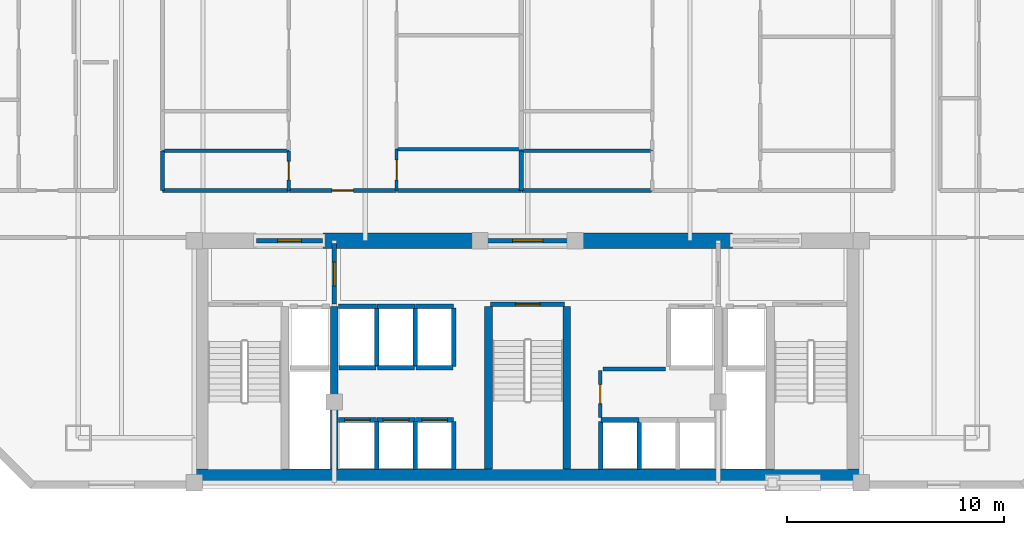
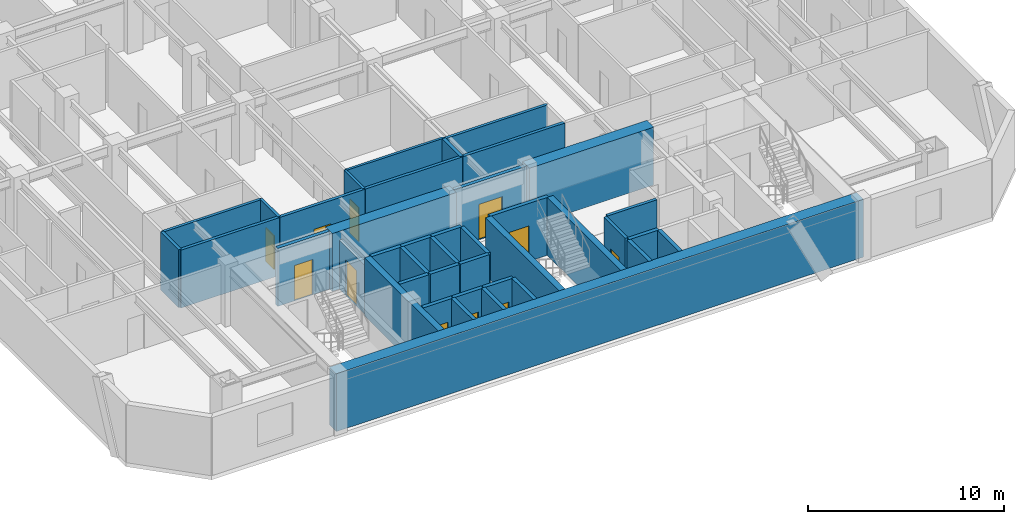
# One storey, part 3 of 10: 41 walls, 11 doors, 11 openings.
"""IFC4 building model written with IfcOpenShell, lengths in metres."""

from ifc_helpers import new_model, si_unit, direction, frame, frame_2d, origin, place, context, subcontext, project, spatial, rectangle, extrude, material, layer, layer_set, type_object, element, fill, save


model = new_model("IFC4")

# Units and contexts
model_context = context("Model", 3, precision=1e-05, world=origin(), true_north=direction((0.0, 1.0)))
body_context = subcontext(model_context, "Body", "Model", "MODEL_VIEW")
ifc_project = project(units=[si_unit("LENGTHUNIT", "METRE"), si_unit("AREAUNIT", "SQUARE_METRE"), si_unit("VOLUMEUNIT", "CUBIC_METRE"), si_unit("PLANEANGLEUNIT", "RADIAN"), si_unit("MASSUNIT", "GRAM", prefix="KILO")], contexts=[model_context])

# Site, building, storey
site_placement = place(None, origin())
site = spatial("IfcSite", under=ifc_project, at=site_placement, CompositionType="ELEMENT")
building_placement = place(site_placement, origin())
building = spatial("IfcBuilding", under=site, at=building_placement, Name="Ventersveld Concourse Tower", CompositionType="ELEMENT")
storey_placement = place(building_placement, frame((0.0, 0.0, 96.449951171875)))
storey = spatial("IfcBuildingStorey", under=building, at=storey_placement, Name="L23", CompositionType="ELEMENT", Elevation=96.449951171875)

# Walls
ifc_material_1 = material(Name="Concrete C60/75", Category="concrete")
ifc_layer_1 = layer(ifc_material_1, 0.35009765625)
ifc_layer_set_1 = layer_set([ifc_layer_1], Name="Concrete C60/75")
wall_type_1 = type_object("IfcWallType", Name="WL-CORE-350L", PredefinedType="SHEAR", material=ifc_layer_set_1)
for number, where, z_axis, x_axis, name in (
    (1, (19.820068359375, 0.919921875, 0.0), (0.0, 0.0, 1.0), (0.0, 1.0, 0.0), "L23 Core Internal Shear Web W-FF1-E"),
    (2, (26.93994140625, 0.919921875, 0.0), (0.0, 0.0, 1.0), (0.0, 1.0, 0.0), "L23 Core Internal Shear Web W-ST3-W"),
    (3, (30.56005859375, 0.919921875, 0.0), (0.0, 0.0, 1.0), (0.0, 1.0, 0.0), "L23 Core Internal Shear Web W-ST3-E"),
):
    element("IfcWall", number, at=place(storey_placement, frame(where, z_axis=z_axis, x_axis=x_axis)), inside=storey, type_object=wall_type_1, Name=name, PredefinedType="SHEAR", context=body_context, shape_type="SweptSolid", body=[
        extrude(rectangle(XDim=7.5, YDim=0.35009765625, at=frame_2d((3.75, 0.0))), origin(), (0.0, 0.0, 1.0), 3.60009765625),
    ])
ifc_layer_2 = layer(ifc_material_1, 0.699951171875)
ifc_layer_set_2 = layer_set([ifc_layer_2], Name="Concrete C60/75")
wall_type_2 = type_object("IfcWallType", Name="WL-CORE-700", PredefinedType="SHEAR", material=ifc_layer_set_2)
wall_1_placement = place(storey_placement, frame((13.25, 0.570068359375, 0.0), z_axis=(0.0, 0.0, 1.0), x_axis=(1.0, 0.0, 0.0)))
element("IfcWall", 4, at=wall_1_placement, inside=storey, type_object=wall_type_2, Name="L23 Rear Core South Shear Wall", PredefinedType="SHEAR", context=body_context, shape_type="SweptSolid", body=[
    extrude(rectangle(XDim=31.0, YDim=0.699951171875, at=frame_2d((15.5, 0.0))), origin(), (0.0, 0.0, 1.0), 3.60009765625),
])
for number, where, z_axis, x_axis, name in (
    (5, (19.300048828125, 11.449951171875, 0.0), (0.0, 0.0, 1.0), (1.0, 0.0, 0.0), "L23 Rear Core North Shear Wall NML"),
    (6, (30.89990234375, 11.449951171875, 0.0), (0.0, 0.0, 1.0), (1.0, 0.0, 0.0), "L23 Rear Core North Shear Wall NMR"),
):
    element("IfcWall", number, at=place(storey_placement, frame(where, z_axis=z_axis, x_axis=x_axis)), inside=storey, type_object=wall_type_2, Name=name, PredefinedType="SHEAR", context=body_context, shape_type="SweptSolid", body=[
        extrude(rectangle(XDim=7.300048828125, YDim=0.699951171875, at=frame_2d((3.64990234375, 0.0))), origin(), (0.0, 0.0, 1.0), 3.60009765625),
    ])

# Wall, opening, door
ifc_material_2 = material(Name="Fire-rated autoclaved aerated masonry blockwork", Category="masonry")
ifc_layer_3 = layer(ifc_material_2, 0.179931640625)
ifc_layer_set_3 = layer_set([ifc_layer_3], Name="Fire-rated autoclaved aerated masonry blockwork")
wall_type_3 = type_object("IfcWallType", Name="WL-CORR-180", PredefinedType="PARTITIONING", material=ifc_layer_set_3)
wall_2_placement = place(storey_placement, frame((32.10009765625, 3.280029296875, 0.0), z_axis=(0.0, 0.0, 1.0), x_axis=(0.0, 1.0, 0.0)))
wall_2 = element("IfcWall", 7, at=wall_2_placement, inside=storey, type_object=wall_type_3, Name="L23 Core Passage Wall SP-L23-CBAY2", PredefinedType="PARTITIONING", context=body_context, shape_type="SweptSolid", body=[
    extrude(rectangle(XDim=2.169921875, YDim=0.179931640625, at=frame_2d((1.0849609375, 0.0))), origin(), (0.0, 0.0, 1.0), 3.60009765625),
])
opening_1_placement = place(wall_2_placement, frame((0.64501953125, 0.0, 0.0)))
opening_1 = element("IfcOpeningElement", 8, at=opening_1_placement, cuts=wall_2, Name="Opening FD5", PredefinedType="OPENING", context=body_context, shape_type="SweptSolid", body=[
    extrude(rectangle(XDim=0.8798828125, YDim=2.050048828125, at=frame_2d((0.43994140625, 1.02490234375))), frame((0.0, 0.10009765625, 0.0), z_axis=(0.0, -1.0, 0.0), x_axis=(1.0, 0.0, 0.0)), (0.0, 0.0, 1.0), 0.199951171875),
])
ifc_material_3 = material(Name="Galvanised painted steel", Category="steel")
door_type_1 = type_object("IfcDoorType", Name="DR-RISER-088", OperationType="NOTDEFINED", PredefinedType="DOOR", material=ifc_material_3)
door_1_placement = place(opening_1_placement, origin())
door_1 = element("IfcDoor", 9, at=door_1_placement, inside=storey, type_object=door_type_1, Name="L23 Core Room Door L23 Core Parcel and Mail Store (CD-L23-1115)", OperationType="SINGLE_SWING_RIGHT", OverallHeight=2.050048828125, OverallWidth=0.8798828125, PredefinedType="DOOR", context=body_context, shape_type="SweptSolid", body=[
    extrude(rectangle(XDim=0.8798828125, YDim=2.050048828125, at=frame_2d((0.43994140625, 1.02490234375))), frame((0.0, 0.02490234375, 0.0), z_axis=(0.0, -1.0, 0.0), x_axis=(1.0, 0.0, 0.0)), (0.0, 0.0, 1.0), 0.050048828125),
])
fill(opening_1, door_1)

# Wall
wall_3_placement = place(storey_placement, frame((32.219970703125, 5.530029296875, 0.0), z_axis=(0.0, 0.0, 1.0), x_axis=(1.0, 0.0, 0.0)))
element("IfcWall", 10, at=wall_3_placement, inside=storey, type_object=wall_type_3, Name="L23 Core Top Wall SP-L23-CBAY2", PredefinedType="PARTITIONING", context=body_context, shape_type="SweptSolid", body=[
    extrude(rectangle(XDim=2.900146484375, YDim=0.179931640625, at=frame_2d((1.4501953125, 0.0))), origin(), (0.0, 0.0, 1.0), 3.60009765625),
])

# Wall, opening, door
wall_4_placement = place(storey_placement, frame((17.71044921875, 13.77001953125, 0.0), z_axis=(0.0, 0.0, 1.0), x_axis=(1.0, 0.0, 0.0)))
wall_4 = element("IfcWall", 11, at=wall_4_placement, inside=storey, type_object=wall_type_3, Name="L23 Interior Partition SP-L23-COR-SP-L23-23N1-FOY", PredefinedType="PARTITIONING", context=body_context, shape_type="SweptSolid", body=[
    extrude(rectangle(XDim=4.989990234375, YDim=0.179931640625, at=frame_2d((2.4951171875, 0.0))), origin(), (0.0, 0.0, 1.0), 3.60009765625),
])
opening_2_placement = place(wall_4_placement, frame((1.9951171875, 0.0, 0.0)))
opening_2 = element("IfcOpeningElement", 12, at=opening_2_placement, cuts=wall_4, Name="Opening FD3", PredefinedType="OPENING", context=body_context, shape_type="SweptSolid", body=[
    extrude(rectangle(XDim=1.0, YDim=2.14990234375, at=frame_2d((0.5, 1.074951171875))), frame((0.0, 0.10009765625, 0.0), z_axis=(0.0, -1.0, 0.0), x_axis=(1.0, 0.0, 0.0)), (0.0, 0.0, 1.0), 0.199951171875),
])
ifc_material_4 = material(Name="Solid-core hardwood veneer timber", Category="wood")
door_type_2 = type_object("IfcDoorType", Name="DR-FLAT-100", OperationType="NOTDEFINED", PredefinedType="DOOR", material=ifc_material_4)
door_2_placement = place(opening_2_placement, origin())
door_2 = element("IfcDoor", 13, at=door_2_placement, inside=storey, type_object=door_type_2, Name="L23 Interior Door SP-L23-COR to SP-L23-23N1-FOY (FD-L23-1120)", OperationType="SINGLE_SWING_RIGHT", OverallHeight=2.14990234375, OverallWidth=1.0, PredefinedType="DOOR", context=body_context, shape_type="SweptSolid", body=[
    extrude(rectangle(XDim=1.0, YDim=2.14990234375, at=frame_2d((0.5, 1.074951171875))), frame((0.0, 0.02490234375, 0.0), z_axis=(0.0, -1.0, 0.0), x_axis=(1.0, 0.0, 0.0)), (0.0, 0.0, 1.0), 0.050048828125),
])
fill(opening_2, door_2)

# Walls
wall_5_placement = place(storey_placement, frame((11.885009765625, 13.77001953125, 0.0), z_axis=(0.0, 0.0, 1.0), x_axis=(1.0, 0.0, 0.0)))
element("IfcWall", 14, at=wall_5_placement, inside=storey, type_object=wall_type_3, Name="L23 Interior Partition SP-L23-COR-SP-L23-23N1-BATH", PredefinedType="PARTITIONING", context=body_context, shape_type="SweptSolid", body=[
    extrude(rectangle(XDim=5.79541015625, YDim=0.179931640625, at=frame_2d((2.897705078125, 0.0))), origin(), (0.0, 0.0, 1.0), 3.60009765625),
])
wall_6_placement = place(storey_placement, frame((11.889892578125, 13.764892578125, 0.0), z_axis=(0.0, 0.0, 1.0), x_axis=(0.0, 1.0, 0.0)))
element("IfcWall", 15, at=wall_6_placement, inside=storey, type_object=wall_type_3, Name="L23 Interior Partition SP-L23-COR-SP-L23-23N1-BATH", PredefinedType="PARTITIONING", context=body_context, shape_type="SweptSolid", body=[
    extrude(rectangle(XDim=1.840087890625, YDim=0.179931640625, at=frame_2d((0.919921875, 0.0))), origin(), (0.0, 0.0, 1.0), 3.60009765625),
])
wall_7_placement = place(storey_placement, frame((22.73046875, 13.77001953125, 0.0), z_axis=(0.0, 0.0, 1.0), x_axis=(1.0, 0.0, 0.0)))
element("IfcWall", 16, at=wall_7_placement, inside=storey, type_object=wall_type_3, Name="L23 Interior Partition SP-L23-COR-SP-L23-23N1-KIT", PredefinedType="PARTITIONING", context=body_context, shape_type="SweptSolid", body=[
    extrude(rectangle(XDim=5.7275390625, YDim=0.179931640625, at=frame_2d((2.86376953125, 0.0))), origin(), (0.0, 0.0, 1.0), 3.60009765625),
])
wall_8_placement = place(storey_placement, frame((28.48779296875, 13.77001953125, 0.0), z_axis=(0.0, 0.0, 1.0), x_axis=(1.0, 0.0, 0.0)))
element("IfcWall", 17, at=wall_8_placement, inside=storey, type_object=wall_type_3, Name="L23 Interior Partition SP-L23-COR-SP-L23-23N2-BATH", PredefinedType="PARTITIONING", context=body_context, shape_type="SweptSolid", body=[
    extrude(rectangle(XDim=5.9833984375, YDim=0.179931640625, at=frame_2d((2.99169921875, 0.0))), origin(), (0.0, 0.0, 1.0), 3.60009765625),
])
ifc_layer_4 = layer(ifc_material_2, 0.199951171875)
ifc_layer_set_4 = layer_set([ifc_layer_4], Name="Fire-rated autoclaved aerated masonry blockwork")
wall_type_4 = type_object("IfcWallType", Name="WL-DEMISE-200", PredefinedType="PARTITIONING", material=ifc_layer_set_4)
wall_9_placement = place(storey_placement, frame((28.452880859375, 13.764892578125, 0.0), z_axis=(0.0, 0.0, 1.0), x_axis=(0.0, 1.0, 0.0)))
element("IfcWall", 18, at=wall_9_placement, inside=storey, type_object=wall_type_4, Name="L23 Interior Partition SP-L23-23N1-KIT-SP-L23-23N2-BATH", PredefinedType="PARTITIONING", context=body_context, shape_type="SweptSolid", body=[
    extrude(rectangle(XDim=1.840087890625, YDim=0.199951171875, at=frame_2d((0.919921875, 0.0))), origin(), (0.0, 0.0, 1.0), 3.60009765625),
])
ifc_layer_5 = layer(ifc_material_2, 0.219970703125)
ifc_layer_set_5 = layer_set([ifc_layer_5], Name="Fire-rated autoclaved aerated masonry blockwork")
wall_type_5 = type_object("IfcWallType", Name="WL-HOIST-220", PredefinedType="SOLIDWALL", material=ifc_layer_set_5)
wall_10_placement = place(storey_placement, frame((21.780029296875, 0.89990234375, 0.0), z_axis=(0.0, 0.0, 1.0), x_axis=(0.0, 1.0, 0.0)))
element("IfcWall", 19, at=wall_10_placement, inside=storey, type_object=wall_type_5, Name="L23 Lift Hoistway Side Wall PL-01E", PredefinedType="SOLIDWALL", context=body_context, shape_type="SweptSolid", body=[
    extrude(rectangle(XDim=2.2001953125, YDim=0.219970703125, at=frame_2d((1.10009765625, 0.0))), origin(), (0.0, 0.0, 1.0), 3.60009765625),
])

# Wall, opening, door
wall_11_placement = place(storey_placement, frame((20.02001953125, 3.179931640625, 0.0), z_axis=(0.0, 0.0, 1.0), x_axis=(1.0, 0.0, 0.0)))
wall_11 = element("IfcWall", 20, at=wall_11_placement, inside=storey, type_object=wall_type_5, Name="L23 Lift Hoistway Front Wall PL-01", PredefinedType="SOLIDWALL", context=body_context, shape_type="SweptSolid", body=[
    extrude(rectangle(XDim=1.739990234375, YDim=0.219970703125, at=frame_2d((0.8701171875, 0.0))), origin(), (0.0, 0.0, 1.0), 3.60009765625),
])
opening_3_placement = place(wall_11_placement, frame((0.280029296875, 0.0, 0.0)))
opening_3 = element("IfcOpeningElement", 21, at=opening_3_placement, cuts=wall_11, Name="Opening LD2", PredefinedType="OPENING", context=body_context, shape_type="SweptSolid", body=[
    extrude(rectangle(XDim=1.179931640625, YDim=2.199951171875, at=frame_2d((0.58984375, 1.10009765625))), frame((0.0, 0.1201171875, 0.0), z_axis=(0.0, -1.0, 0.0), x_axis=(1.0, 0.0, 0.0)), (0.0, 0.0, 1.0), 0.239990234375),
])
ifc_material_5 = material(Name="Brushed stainless steel 316", Category="steel")
door_type_3 = type_object("IfcDoorType", Name="LD-PAX-118", OperationType="SLIDING_TO_LEFT", PredefinedType="DOOR", material=ifc_material_5)
door_3_placement = place(opening_3_placement, origin())
door_3 = element("IfcDoor", 22, at=door_3_placement, inside=storey, type_object=door_type_3, Name="L23 Lift landing door PL-01 (LD-L23-PL-01)", OperationType="SLIDING_TO_RIGHT", OverallHeight=2.199951171875, OverallWidth=1.179931640625, PredefinedType="DOOR", context=body_context, shape_type="SweptSolid", body=[
    extrude(rectangle(XDim=1.179931640625, YDim=2.199951171875, at=frame_2d((0.58984375, 1.10009765625))), frame((0.0, 0.02490234375, 0.0), z_axis=(0.0, -1.0, 0.0), x_axis=(1.0, 0.0, 0.0)), (0.0, 0.0, 1.0), 0.050048828125),
])
fill(opening_3, door_3)

# Wall
wall_12_placement = place(storey_placement, frame((23.56005859375, 0.89990234375, 0.0), z_axis=(0.0, 0.0, 1.0), x_axis=(0.0, 1.0, 0.0)))
element("IfcWall", 23, at=wall_12_placement, inside=storey, type_object=wall_type_5, Name="L23 Lift Hoistway Side Wall PL-02E", PredefinedType="SOLIDWALL", context=body_context, shape_type="SweptSolid", body=[
    extrude(rectangle(XDim=2.2001953125, YDim=0.219970703125, at=frame_2d((1.10009765625, 0.0))), origin(), (0.0, 0.0, 1.0), 3.60009765625),
])

# Wall, opening, door
wall_13_placement = place(storey_placement, frame((21.800048828125, 3.179931640625, 0.0), z_axis=(0.0, 0.0, 1.0), x_axis=(1.0, 0.0, 0.0)))
wall_13 = element("IfcWall", 24, at=wall_13_placement, inside=storey, type_object=wall_type_5, Name="L23 Lift Hoistway Front Wall PL-02", PredefinedType="SOLIDWALL", context=body_context, shape_type="SweptSolid", body=[
    extrude(rectangle(XDim=1.739990234375, YDim=0.219970703125, at=frame_2d((0.8701171875, 0.0))), origin(), (0.0, 0.0, 1.0), 3.60009765625),
])
opening_4_placement = place(wall_13_placement, frame((0.280029296875, 0.0, 0.0)))
opening_4 = element("IfcOpeningElement", 25, at=opening_4_placement, cuts=wall_13, Name="Opening LD2", PredefinedType="OPENING", context=body_context, shape_type="SweptSolid", body=[
    extrude(rectangle(XDim=1.179931640625, YDim=2.199951171875, at=frame_2d((0.58984375, 1.10009765625))), frame((0.0, 0.1201171875, 0.0), z_axis=(0.0, -1.0, 0.0), x_axis=(1.0, 0.0, 0.0)), (0.0, 0.0, 1.0), 0.239990234375),
])
door_4_placement = place(opening_4_placement, origin())
door_4 = element("IfcDoor", 26, at=door_4_placement, inside=storey, type_object=door_type_3, Name="L23 Lift landing door PL-02 (LD-L23-PL-02)", OperationType="SLIDING_TO_LEFT", OverallHeight=2.199951171875, OverallWidth=1.179931640625, PredefinedType="DOOR", context=body_context, shape_type="SweptSolid", body=[
    extrude(rectangle(XDim=1.179931640625, YDim=2.199951171875, at=frame_2d((0.58984375, 1.10009765625))), frame((0.0, 0.02490234375, 0.0), z_axis=(0.0, -1.0, 0.0), x_axis=(1.0, 0.0, 0.0)), (0.0, 0.0, 1.0), 0.050048828125),
])
fill(opening_4, door_4)

# Wall
wall_14_placement = place(storey_placement, frame((25.340087890625, 0.89990234375, 0.0), z_axis=(0.0, 0.0, 1.0), x_axis=(0.0, 1.0, 0.0)))
element("IfcWall", 27, at=wall_14_placement, inside=storey, type_object=wall_type_5, Name="L23 Lift Hoistway Side Wall PL-03E", PredefinedType="SOLIDWALL", context=body_context, shape_type="SweptSolid", body=[
    extrude(rectangle(XDim=2.2001953125, YDim=0.219970703125, at=frame_2d((1.10009765625, 0.0))), origin(), (0.0, 0.0, 1.0), 3.60009765625),
])

# Wall, opening, door
wall_15_placement = place(storey_placement, frame((23.580078125, 3.179931640625, 0.0), z_axis=(0.0, 0.0, 1.0), x_axis=(1.0, 0.0, 0.0)))
wall_15 = element("IfcWall", 28, at=wall_15_placement, inside=storey, type_object=wall_type_5, Name="L23 Lift Hoistway Front Wall PL-03", PredefinedType="SOLIDWALL", context=body_context, shape_type="SweptSolid", body=[
    extrude(rectangle(XDim=1.739990234375, YDim=0.219970703125, at=frame_2d((0.8701171875, 0.0))), origin(), (0.0, 0.0, 1.0), 3.60009765625),
])
opening_5_placement = place(wall_15_placement, frame((0.280029296875, 0.0, 0.0)))
opening_5 = element("IfcOpeningElement", 29, at=opening_5_placement, cuts=wall_15, Name="Opening LD2", PredefinedType="OPENING", context=body_context, shape_type="SweptSolid", body=[
    extrude(rectangle(XDim=1.179931640625, YDim=2.199951171875, at=frame_2d((0.58984375, 1.10009765625))), frame((0.0, 0.1201171875, 0.0), z_axis=(0.0, -1.0, 0.0), x_axis=(1.0, 0.0, 0.0)), (0.0, 0.0, 1.0), 0.239990234375),
])
door_5_placement = place(opening_5_placement, origin())
door_5 = element("IfcDoor", 30, at=door_5_placement, inside=storey, type_object=door_type_3, Name="L23 Lift landing door PL-03 (LD-L23-PL-03)", OperationType="SLIDING_TO_RIGHT", OverallHeight=2.199951171875, OverallWidth=1.179931640625, PredefinedType="DOOR", context=body_context, shape_type="SweptSolid", body=[
    extrude(rectangle(XDim=1.179931640625, YDim=2.199951171875, at=frame_2d((0.58984375, 1.10009765625))), frame((0.0, 0.02490234375, 0.0), z_axis=(0.0, -1.0, 0.0), x_axis=(1.0, 0.0, 0.0)), (0.0, 0.0, 1.0), 0.050048828125),
])
fill(opening_5, door_5)

# Walls
for number, where, z_axis, x_axis, name in (
    (31, (32.1201171875, 0.89990234375, 0.0), (0.0, 0.0, 1.0), (0.0, 1.0, 0.0), "L23 Lift Hoistway Side Wall PM-01W"),
    (32, (33.89990234375, 0.89990234375, 0.0), (0.0, 0.0, 1.0), (0.0, 1.0, 0.0), "L23 Lift Hoistway Side Wall PM-01E"),
):
    element("IfcWall", number, at=place(storey_placement, frame(where, z_axis=z_axis, x_axis=x_axis)), inside=storey, type_object=wall_type_5, Name=name, PredefinedType="SOLIDWALL", context=body_context, shape_type="SweptSolid", body=[
        extrude(rectangle(XDim=2.2001953125, YDim=0.219970703125, at=frame_2d((1.10009765625, 0.0))), origin(), (0.0, 0.0, 1.0), 3.60009765625),
    ])
wall_16_placement = place(storey_placement, frame((32.139892578125, 3.179931640625, 0.0), z_axis=(0.0, 0.0, 1.0), x_axis=(1.0, 0.0, 0.0)))
element("IfcWall", 33, at=wall_16_placement, inside=storey, type_object=wall_type_5, Name="L23 Lift Hoistway Front Wall PM-01", PredefinedType="SOLIDWALL", context=body_context, shape_type="SweptSolid", body=[
    extrude(rectangle(XDim=1.739990234375, YDim=0.219970703125, at=frame_2d((0.8701171875, 0.0))), origin(), (0.0, 0.0, 1.0), 3.60009765625),
])
wall_17_placement = place(storey_placement, frame((20.0400390625, 5.590087890625, 0.0), z_axis=(0.0, 0.0, 1.0), x_axis=(1.0, 0.0, 0.0)))
element("IfcWall", 34, at=wall_17_placement, inside=storey, type_object=wall_type_5, Name="L23 Lift Hoistway Back Wall PH-01", PredefinedType="SOLIDWALL", context=body_context, shape_type="SweptSolid", body=[
    extrude(rectangle(XDim=1.699951171875, YDim=0.219970703125, at=frame_2d((0.85009765625, 0.0))), origin(), (0.0, 0.0, 1.0), 3.60009765625),
])
wall_18_placement = place(storey_placement, frame((21.780029296875, 5.64990234375, 0.0), z_axis=(0.0, 0.0, 1.0), x_axis=(0.0, 1.0, 0.0)))
element("IfcWall", 35, at=wall_18_placement, inside=storey, type_object=wall_type_5, Name="L23 Lift Hoistway Side Wall PH-01E", PredefinedType="SOLIDWALL", context=body_context, shape_type="SweptSolid", body=[
    extrude(rectangle(XDim=2.7001953125, YDim=0.219970703125, at=frame_2d((1.35009765625, 0.0))), origin(), (0.0, 0.0, 1.0), 3.60009765625),
])
wall_19_placement = place(storey_placement, frame((20.02001953125, 8.429931640625, 0.0), z_axis=(0.0, 0.0, 1.0), x_axis=(1.0, 0.0, 0.0)))
element("IfcWall", 36, at=wall_19_placement, inside=storey, type_object=wall_type_5, Name="L23 Lift Hoistway Front Wall PH-01", PredefinedType="SOLIDWALL", context=body_context, shape_type="SweptSolid", body=[
    extrude(rectangle(XDim=1.739990234375, YDim=0.219970703125, at=frame_2d((0.8701171875, 0.0))), origin(), (0.0, 0.0, 1.0), 3.60009765625),
])
wall_20_placement = place(storey_placement, frame((21.820068359375, 5.590087890625, 0.0), z_axis=(0.0, 0.0, 1.0), x_axis=(1.0, 0.0, 0.0)))
element("IfcWall", 37, at=wall_20_placement, inside=storey, type_object=wall_type_5, Name="L23 Lift Hoistway Back Wall PH-02", PredefinedType="SOLIDWALL", context=body_context, shape_type="SweptSolid", body=[
    extrude(rectangle(XDim=1.699951171875, YDim=0.219970703125, at=frame_2d((0.85009765625, 0.0))), origin(), (0.0, 0.0, 1.0), 3.60009765625),
])
wall_21_placement = place(storey_placement, frame((23.56005859375, 5.64990234375, 0.0), z_axis=(0.0, 0.0, 1.0), x_axis=(0.0, 1.0, 0.0)))
element("IfcWall", 38, at=wall_21_placement, inside=storey, type_object=wall_type_5, Name="L23 Lift Hoistway Side Wall PH-02E", PredefinedType="SOLIDWALL", context=body_context, shape_type="SweptSolid", body=[
    extrude(rectangle(XDim=2.7001953125, YDim=0.219970703125, at=frame_2d((1.35009765625, 0.0))), origin(), (0.0, 0.0, 1.0), 3.60009765625),
])
wall_22_placement = place(storey_placement, frame((21.800048828125, 8.429931640625, 0.0), z_axis=(0.0, 0.0, 1.0), x_axis=(1.0, 0.0, 0.0)))
element("IfcWall", 39, at=wall_22_placement, inside=storey, type_object=wall_type_5, Name="L23 Lift Hoistway Front Wall PH-02", PredefinedType="SOLIDWALL", context=body_context, shape_type="SweptSolid", body=[
    extrude(rectangle(XDim=1.739990234375, YDim=0.219970703125, at=frame_2d((0.8701171875, 0.0))), origin(), (0.0, 0.0, 1.0), 3.60009765625),
])
wall_23_placement = place(storey_placement, frame((23.60009765625, 5.590087890625, 0.0), z_axis=(0.0, 0.0, 1.0), x_axis=(1.0, 0.0, 0.0)))
element("IfcWall", 40, at=wall_23_placement, inside=storey, type_object=wall_type_5, Name="L23 Lift Hoistway Back Wall PH-03", PredefinedType="SOLIDWALL", context=body_context, shape_type="SweptSolid", body=[
    extrude(rectangle(XDim=1.699951171875, YDim=0.219970703125, at=frame_2d((0.85009765625, 0.0))), origin(), (0.0, 0.0, 1.0), 3.60009765625),
])
wall_24_placement = place(storey_placement, frame((25.340087890625, 5.64990234375, 0.0), z_axis=(0.0, 0.0, 1.0), x_axis=(0.0, 1.0, 0.0)))
element("IfcWall", 41, at=wall_24_placement, inside=storey, type_object=wall_type_5, Name="L23 Lift Hoistway Side Wall PH-03E", PredefinedType="SOLIDWALL", context=body_context, shape_type="SweptSolid", body=[
    extrude(rectangle(XDim=2.7001953125, YDim=0.219970703125, at=frame_2d((1.35009765625, 0.0))), origin(), (0.0, 0.0, 1.0), 3.60009765625),
])
wall_25_placement = place(storey_placement, frame((23.580078125, 8.429931640625, 0.0), z_axis=(0.0, 0.0, 1.0), x_axis=(1.0, 0.0, 0.0)))
element("IfcWall", 42, at=wall_25_placement, inside=storey, type_object=wall_type_5, Name="L23 Lift Hoistway Front Wall PH-03", PredefinedType="SOLIDWALL", context=body_context, shape_type="SweptSolid", body=[
    extrude(rectangle(XDim=1.739990234375, YDim=0.219970703125, at=frame_2d((0.8701171875, 0.0))), origin(), (0.0, 0.0, 1.0), 3.60009765625),
])

# Wall, opening, door
wall_26_placement = place(storey_placement, frame((27.0400390625, 8.52001953125, 0.0), z_axis=(0.0, 0.0, 1.0), x_axis=(1.0, 0.0, 0.0)))
wall_26 = element("IfcWall", 43, at=wall_26_placement, inside=storey, type_object=wall_type_5, Name="L23 Escape Stair ST03 Fire Wall", PredefinedType="SOLIDWALL", context=body_context, shape_type="SweptSolid", body=[
    extrude(rectangle(XDim=3.419921875, YDim=0.219970703125, at=frame_2d((1.7099609375, 0.0))), origin(), (0.0, 0.0, 1.0), 3.60009765625),
])
opening_6_placement = place(wall_26_placement, frame((1.135009765625, 0.0, 0.0)))
opening_6 = element("IfcOpeningElement", 44, at=opening_6_placement, cuts=wall_26, Name="Opening FD1", PredefinedType="OPENING", context=body_context, shape_type="SweptSolid", body=[
    extrude(rectangle(XDim=1.14990234375, YDim=2.199951171875, at=frame_2d((0.574951171875, 1.10009765625))), frame((0.0, 0.1201171875, 0.0), z_axis=(0.0, -1.0, 0.0), x_axis=(1.0, 0.0, 0.0)), (0.0, 0.0, 1.0), 0.239990234375),
])
door_type_4 = type_object("IfcDoorType", Name="DR-STAIR-115", OperationType="NOTDEFINED", PredefinedType="DOOR", material=ifc_material_3)
door_6_placement = place(opening_6_placement, origin())
door_6 = element("IfcDoor", 45, at=door_6_placement, inside=storey, type_object=door_type_4, Name="L23 Escape Stair Door ST03 (SD-L23-1109)", OperationType="SINGLE_SWING_LEFT", OverallHeight=2.199951171875, OverallWidth=1.14990234375, PredefinedType="DOOR", context=body_context, shape_type="SweptSolid", body=[
    extrude(rectangle(XDim=1.14990234375, YDim=2.199951171875, at=frame_2d((0.574951171875, 1.10009765625))), frame((0.0, 0.02490234375, 0.0), z_axis=(0.0, -1.0, 0.0), x_axis=(1.0, 0.0, 0.0)), (0.0, 0.0, 1.0), 0.050048828125),
])
fill(opening_6, door_6)

wall_27_placement = place(storey_placement, frame((19.820068359375, 8.52001953125, 0.0), z_axis=(0.0, 0.0, 1.0), x_axis=(0.0, 1.0, 0.0)))
wall_27 = element("IfcWall", 46, at=wall_27_placement, inside=storey, type_object=wall_type_5, Name="L23 Firefighting Lobby Smoke-Stop Wall FFLW-SEP", PredefinedType="SOLIDWALL", context=body_context, shape_type="SweptSolid", body=[
    extrude(rectangle(XDim=2.800048828125, YDim=0.219970703125, at=frame_2d((1.39990234375, 0.0))), origin(), (0.0, 0.0, 1.0), 3.0556640625),
])
opening_7_placement = place(wall_27_placement, frame((0.85009765625, 0.0, 0.0)))
opening_7 = element("IfcOpeningElement", 47, at=opening_7_placement, cuts=wall_27, Name="Opening FD2", PredefinedType="OPENING", context=body_context, shape_type="SweptSolid", body=[
    extrude(rectangle(XDim=1.10009765625, YDim=2.199951171875, at=frame_2d((0.550048828125, 1.10009765625))), frame((0.0, 0.1201171875, 0.0), z_axis=(0.0, -1.0, 0.0), x_axis=(1.0, 0.0, 0.0)), (0.0, 0.0, 1.0), 0.239990234375),
])
door_type_5 = type_object("IfcDoorType", Name="DR-FFL-110", OperationType="NOTDEFINED", PredefinedType="DOOR", material=ifc_material_3)
door_7_placement = place(opening_7_placement, origin())
door_7 = element("IfcDoor", 48, at=door_7_placement, inside=storey, type_object=door_type_5, Name="L23 Firefighting Lobby Door FFLW-SEP (FD-L23-1110)", OperationType="SINGLE_SWING_LEFT", OverallHeight=2.199951171875, OverallWidth=1.10009765625, PredefinedType="DOOR", context=body_context, shape_type="SweptSolid", body=[
    extrude(rectangle(XDim=1.10009765625, YDim=2.199951171875, at=frame_2d((0.550048828125, 1.10009765625))), frame((0.0, 0.02490234375, 0.0), z_axis=(0.0, -1.0, 0.0), x_axis=(1.0, 0.0, 0.0)), (0.0, 0.0, 1.0), 0.050048828125),
])
fill(opening_7, door_7)

wall_28_placement = place(storey_placement, frame((16.22998046875, 11.449951171875, 0.0), z_axis=(0.0, 0.0, 1.0), x_axis=(1.0, 0.0, 0.0)))
wall_28 = element("IfcWall", 49, at=wall_28_placement, inside=storey, type_object=wall_type_5, Name="L23 Core North Fire Portal FFLW-OUT", PredefinedType="SOLIDWALL", context=body_context, shape_type="SweptSolid", body=[
    extrude(rectangle(XDim=3.0400390625, YDim=0.219970703125, at=frame_2d((1.52001953125, 0.0))), origin(), (0.0, 0.0, 1.0), 3.60009765625),
])
opening_8_placement = place(wall_28_placement, frame((0.969970703125, 0.0, 0.0)))
opening_8 = element("IfcOpeningElement", 50, at=opening_8_placement, cuts=wall_28, Name="Opening FD2", PredefinedType="OPENING", context=body_context, shape_type="SweptSolid", body=[
    extrude(rectangle(XDim=1.10009765625, YDim=2.199951171875, at=frame_2d((0.550048828125, 1.10009765625))), frame((0.0, 0.1201171875, 0.0), z_axis=(0.0, -1.0, 0.0), x_axis=(1.0, 0.0, 0.0)), (0.0, 0.0, 1.0), 0.239990234375),
])
door_8_placement = place(opening_8_placement, origin())
door_8 = element("IfcDoor", 51, at=door_8_placement, inside=storey, type_object=door_type_5, Name="L23 Core Lobby Fire Door FFLW-OUT (FD-L23-1112)", OperationType="SINGLE_SWING_RIGHT", OverallHeight=2.199951171875, OverallWidth=1.10009765625, PredefinedType="DOOR", context=body_context, shape_type="SweptSolid", body=[
    extrude(rectangle(XDim=1.10009765625, YDim=2.199951171875, at=frame_2d((0.550048828125, 1.10009765625))), frame((0.0, 0.02490234375, 0.0), z_axis=(0.0, -1.0, 0.0), x_axis=(1.0, 0.0, 0.0)), (0.0, 0.0, 1.0), 0.050048828125),
])
fill(opening_8, door_8)

wall_29_placement = place(storey_placement, frame((26.6298828125, 11.449951171875, 0.0), z_axis=(0.0, 0.0, 1.0), x_axis=(1.0, 0.0, 0.0)))
wall_29 = element("IfcWall", 52, at=wall_29_placement, inside=storey, type_object=wall_type_5, Name="L23 Core North Fire Portal PLOB-OUT", PredefinedType="SOLIDWALL", context=body_context, shape_type="SweptSolid", body=[
    extrude(rectangle(XDim=4.240234375, YDim=0.219970703125, at=frame_2d((2.1201171875, 0.0))), origin(), (0.0, 0.0, 1.0), 3.60009765625),
])
opening_9_placement = place(wall_29_placement, frame((1.419921875, 0.0, 0.0)))
opening_9 = element("IfcOpeningElement", 53, at=opening_9_placement, cuts=wall_29, Name="Opening FD4", PredefinedType="OPENING", context=body_context, shape_type="SweptSolid", body=[
    extrude(rectangle(XDim=1.39990234375, YDim=2.199951171875, at=frame_2d((0.699951171875, 1.10009765625))), frame((0.0, 0.1201171875, 0.0), z_axis=(0.0, -1.0, 0.0), x_axis=(1.0, 0.0, 0.0)), (0.0, 0.0, 1.0), 0.239990234375),
])
door_type_6 = type_object("IfcDoorType", Name="DR-PLANT-140", OperationType="DOUBLE_DOOR_SINGLE_SWING", PredefinedType="DOOR", material=ifc_material_3)
door_9_placement = place(opening_9_placement, origin())
door_9 = element("IfcDoor", 54, at=door_9_placement, inside=storey, type_object=door_type_6, Name="L23 Core Lobby Fire Door PLOB-OUT (FD-L23-1113)", OperationType="DOUBLE_DOOR_SINGLE_SWING", OverallHeight=2.199951171875, OverallWidth=1.39990234375, PredefinedType="DOOR", context=body_context, shape_type="SweptSolid", body=[
    extrude(rectangle(XDim=1.39990234375, YDim=2.199951171875, at=frame_2d((0.699951171875, 1.10009765625))), frame((0.0, 0.02490234375, 0.0), z_axis=(0.0, -1.0, 0.0), x_axis=(1.0, 0.0, 0.0)), (0.0, 0.0, 1.0), 0.050048828125),
])
fill(opening_9, door_9)

ifc_material_6 = material(Name="Autoclaved aerated masonry blockwork", Category="masonry")
ifc_layer_6 = layer(ifc_material_6, 0.14990234375)
ifc_layer_set_6 = layer_set([ifc_layer_6], Name="Autoclaved aerated masonry blockwork")
wall_type_6 = type_object("IfcWallType", Name="WL-INT-150", PredefinedType="PARTITIONING", material=ifc_layer_set_6)
wall_30_placement = place(storey_placement, frame((22.695556640625, 13.764892578125, 0.0), z_axis=(0.0, 0.0, 1.0), x_axis=(0.0, 1.0, 0.0)))
wall_30 = element("IfcWall", 55, at=wall_30_placement, inside=storey, type_object=wall_type_6, Name="L23 Interior Partition SP-L23-23N1-FOY-SP-L23-23N1-KIT", PredefinedType="PARTITIONING", context=body_context, shape_type="SweptSolid", body=[
    extrude(rectangle(XDim=1.911376953125, YDim=0.14990234375, at=frame_2d((0.95556640625, 0.0))), origin(), (0.0, 0.0, 1.0), 3.60009765625),
])
opening_10_placement = place(wall_30_placement, frame((0.49560546875, 0.0, 0.0)))
opening_10 = element("IfcOpeningElement", 56, at=opening_10_placement, cuts=wall_30, Name="Opening ID1", PredefinedType="OPENING", context=body_context, shape_type="SweptSolid", body=[
    extrude(rectangle(XDim=0.919921875, YDim=2.10009765625, at=frame_2d((0.4599609375, 1.050048828125))), frame((0.0, 0.0849609375, 0.0), z_axis=(0.0, -1.0, 0.0), x_axis=(1.0, 0.0, 0.0)), (0.0, 0.0, 1.0), 0.169921875),
])
door_type_7 = type_object("IfcDoorType", Name="DR-ROOM-092", OperationType="NOTDEFINED", PredefinedType="DOOR", material=ifc_material_4)
door_10_placement = place(opening_10_placement, origin())
door_10 = element("IfcDoor", 57, at=door_10_placement, inside=storey, type_object=door_type_7, Name="L23 Interior Door SP-L23-23N1-FOY to SP-L23-23N1-KIT (D-L23-1136)", OperationType="SINGLE_SWING_RIGHT", OverallHeight=2.10009765625, OverallWidth=0.919921875, PredefinedType="DOOR", context=body_context, shape_type="SweptSolid", body=[
    extrude(rectangle(XDim=0.919921875, YDim=2.10009765625, at=frame_2d((0.4599609375, 1.050048828125))), frame((0.0, 0.02490234375, 0.0), z_axis=(0.0, -1.0, 0.0), x_axis=(1.0, 0.0, 0.0)), (0.0, 0.0, 1.0), 0.050048828125),
])
fill(opening_10, door_10)

# Wall
wall_31_placement = place(storey_placement, frame((22.6904296875, 15.671142578125, 0.0), z_axis=(0.0, 0.0, 1.0), x_axis=(1.0, 0.0, 0.0)))
element("IfcWall", 58, at=wall_31_placement, inside=storey, type_object=wall_type_6, Name="L23 Interior Partition SP-L23-23N1-KIT-SP-L23-23N1-DENR", PredefinedType="PARTITIONING", context=body_context, shape_type="SweptSolid", body=[
    extrude(rectangle(XDim=5.767578125, YDim=0.14990234375, at=frame_2d((2.8837890625, 0.0))), origin(), (0.0, 0.0, 1.0), 3.60009765625),
])

# Wall, opening, door
ifc_layer_7 = layer(ifc_material_6, 0.1650390625)
ifc_layer_set_7 = layer_set([ifc_layer_7], Name="Autoclaved aerated masonry blockwork")
wall_type_7 = type_object("IfcWallType", Name="WL-WET-165", PredefinedType="PLUMBINGWALL", material=ifc_layer_set_7)
wall_32_placement = place(storey_placement, frame((17.715576171875, 13.764892578125, 0.0), z_axis=(0.0, 0.0, 1.0), x_axis=(0.0, 1.0, 0.0)))
wall_32 = element("IfcWall", 59, at=wall_32_placement, inside=storey, type_object=wall_type_7, Name="L23 Interior Partition SP-L23-23N1-FOY-SP-L23-23N1-BATH", PredefinedType="PLUMBINGWALL", context=body_context, shape_type="SweptSolid", body=[
    extrude(rectangle(XDim=1.840087890625, YDim=0.1650390625, at=frame_2d((0.919921875, 0.0))), origin(), (0.0, 0.0, 1.0), 3.60009765625),
])
opening_11_placement = place(wall_32_placement, frame((0.4951171875, 0.0, 0.0)))
opening_11 = element("IfcOpeningElement", 60, at=opening_11_placement, cuts=wall_32, Name="Opening ID2", PredefinedType="OPENING", context=body_context, shape_type="SweptSolid", body=[
    extrude(rectangle(XDim=0.85009765625, YDim=2.10009765625, at=frame_2d((0.425048828125, 1.050048828125))), frame((0.0, 0.092529296875, 0.0), z_axis=(0.0, -1.0, 0.0), x_axis=(1.0, 0.0, 0.0)), (0.0, 0.0, 1.0), 0.18505859375),
])
door_type_8 = type_object("IfcDoorType", Name="DR-BATH-085", OperationType="NOTDEFINED", PredefinedType="DOOR", material=ifc_material_4)
door_11_placement = place(opening_11_placement, origin())
door_11 = element("IfcDoor", 61, at=door_11_placement, inside=storey, type_object=door_type_8, Name="L23 Interior Door SP-L23-23N1-FOY to SP-L23-23N1-BATH (D-L23-1133)", OperationType="SINGLE_SWING_LEFT", OverallHeight=2.10009765625, OverallWidth=0.85009765625, PredefinedType="DOOR", context=body_context, shape_type="SweptSolid", body=[
    extrude(rectangle(XDim=0.85009765625, YDim=2.10009765625, at=frame_2d((0.425048828125, 1.050048828125))), frame((0.0, 0.02490234375, 0.0), z_axis=(0.0, -1.0, 0.0), x_axis=(1.0, 0.0, 0.0)), (0.0, 0.0, 1.0), 0.050048828125),
])
fill(opening_11, door_11)

# Walls
wall_33_placement = place(storey_placement, frame((11.885009765625, 15.60009765625, 0.0), z_axis=(0.0, 0.0, 1.0), x_axis=(1.0, 0.0, 0.0)))
element("IfcWall", 62, at=wall_33_placement, inside=storey, type_object=wall_type_7, Name="L23 Interior Partition SP-L23-23N1-BATH-SP-L23-23N1-PWDL0", PredefinedType="PLUMBINGWALL", context=body_context, shape_type="SweptSolid", body=[
    extrude(rectangle(XDim=5.83544921875, YDim=0.1650390625, at=frame_2d((2.917724609375, 0.0))), origin(), (0.0, 0.0, 1.0), 3.60009765625),
])
wall_34_placement = place(storey_placement, frame((28.447998046875, 15.60009765625, 0.0), z_axis=(0.0, 0.0, 1.0), x_axis=(1.0, 0.0, 0.0)))
element("IfcWall", 63, at=wall_34_placement, inside=storey, type_object=wall_type_7, Name="L23 Interior Partition SP-L23-23N2-BATH-SP-L23-23N2-PWDL0", PredefinedType="PLUMBINGWALL", context=body_context, shape_type="SweptSolid", body=[
    extrude(rectangle(XDim=6.06298828125, YDim=0.1650390625, at=frame_2d((3.031494140625, 0.0))), origin(), (0.0, 0.0, 1.0), 3.60009765625),
])

save(model, "model.ifc")
